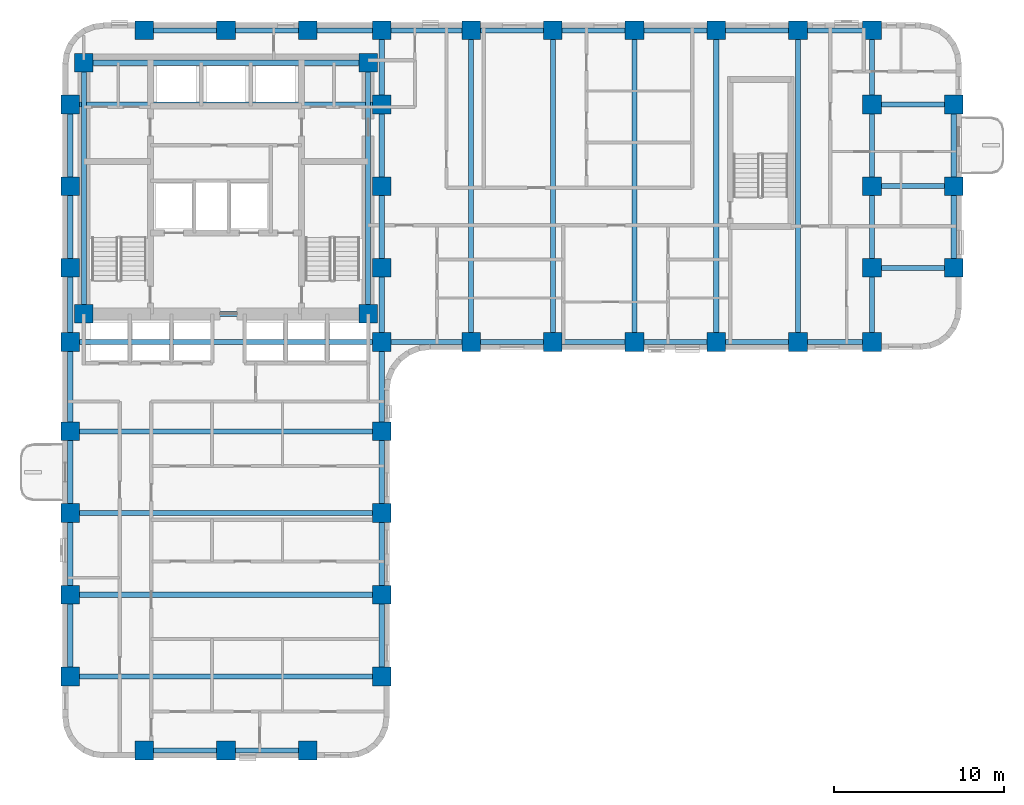
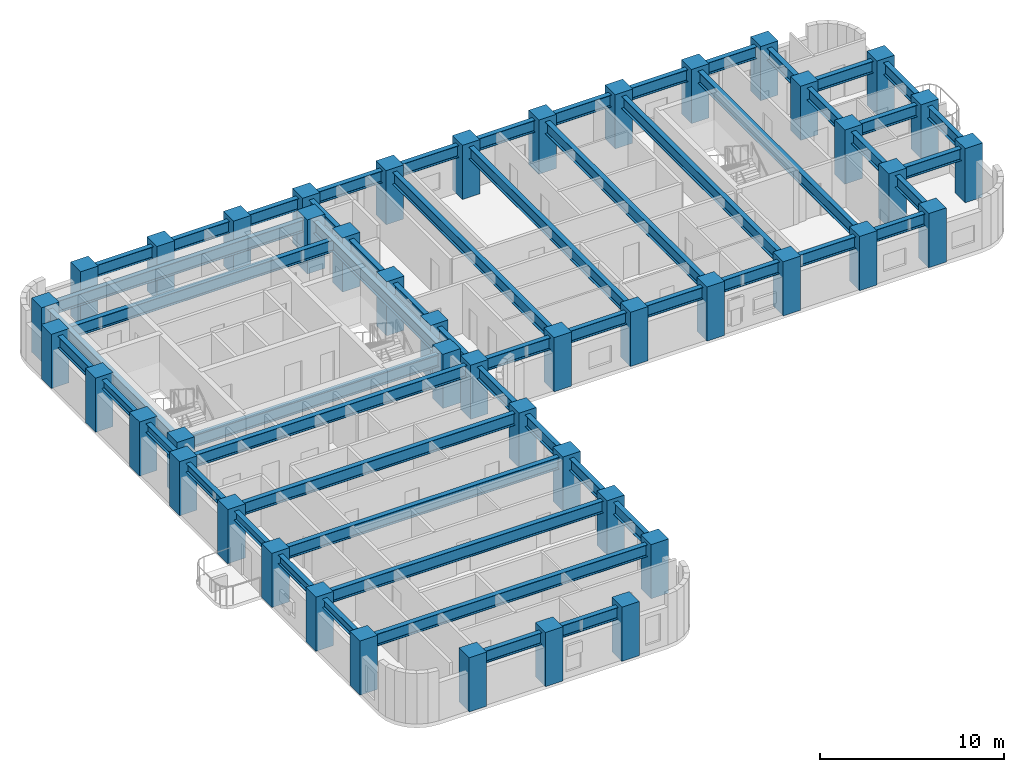
# One storey, part 1 of 10: 56 beams, 45 columns.
"""IFC4 building model written with IfcOpenShell, lengths in metres."""

from ifc_helpers import new_model, si_unit, direction, frame, origin, origin_2d, place, context, subcontext, project, spatial, rectangle, i_section, extrude, material, material_profile, profile_set, type_object, element, save


model = new_model("IFC4")

# Units and contexts
model_context = context("Model", 3, precision=1e-05, world=origin(), true_north=direction((0.0, 1.0)))
body_context = subcontext(model_context, "Body", "Model", "MODEL_VIEW")
ifc_project = project(units=[si_unit("LENGTHUNIT", "METRE"), si_unit("AREAUNIT", "SQUARE_METRE"), si_unit("VOLUMEUNIT", "CUBIC_METRE"), si_unit("PLANEANGLEUNIT", "RADIAN"), si_unit("MASSUNIT", "GRAM", prefix="KILO")], contexts=[model_context])

# Site, building, storey
site_placement = place(None, origin())
site = spatial("IfcSite", under=ifc_project, at=site_placement, CompositionType="ELEMENT")
building_placement = place(site_placement, origin())
building = spatial("IfcBuilding", under=site, at=building_placement, Name="Orvandelia Arch Residences", CompositionType="ELEMENT")
storey_placement = place(building_placement, frame((0.0, 0.0, 75.39990234375)))
storey = spatial("IfcBuildingStorey", under=building, at=storey_placement, Name="L19", CompositionType="ELEMENT", Elevation=75.39990234375)

# Columns
ifc_material_1 = material(Name="Concrete C80/95", Category="concrete")
ifc_material_profile_1 = material_profile(ifc_material_1, rectangle(XDim=1.10009765625, YDim=1.10009765625, at=origin_2d()), Name="Concrete C80/95", Category="concrete")
ifc_profile_set_1 = profile_set([ifc_material_profile_1], Name="Concrete C80/95")
column_type = type_object("IfcColumnType", Name="COL-TWR-1100", PredefinedType="COLUMN", material=ifc_profile_set_1)
for number, where, z_axis, x_axis, name in (
    (1, (5.25, 9.60009765625, 0.0), (0.0, 0.0, 1.0), (1.0, 0.0, 0.0), "Structural Column L19-W-W-96"),
    (2, (5.25, 14.39990234375, 0.0), (0.0, 0.0, 1.0), (1.0, 0.0, 0.0), "Structural Column L19-W-W-144"),
    (3, (5.25, 19.199951171875, 0.0), (0.0, 0.0, 1.0), (1.0, 0.0, 0.0), "Structural Column L19-W-W-192"),
    (4, (5.25, 24.0, 0.0), (0.0, 0.0, 1.0), (1.0, 0.0, 0.0), "Structural Column L19-W-W-240"),
    (5, (5.25, 29.25, 0.0), (0.0, 0.0, 1.0), (1.0, 0.0, 0.0), "Structural Column L19-W-W-292"),
    (6, (5.25, 33.60009765625, 0.0), (0.0, 0.0, 1.0), (1.0, 0.0, 0.0), "Structural Column L19-W-W-336"),
    (7, (5.25, 38.39990234375, 0.0), (0.0, 0.0, 1.0), (1.0, 0.0, 0.0), "Structural Column L19-W-W-384"),
    (8, (5.25, 43.199951171875, 0.0), (0.0, 0.0, 1.0), (1.0, 0.0, 0.0), "Structural Column L19-W-W-432"),
    (9, (6.050048828125, 30.89990234375, 0.0), (0.0, 0.0, 1.0), (1.0, 0.0, 0.0), "Structural Column L19-CR-SW"),
    (10, (6.050048828125, 45.64990234375, 0.0), (0.0, 0.0, 1.0), (1.0, 0.0, 0.0), "Structural Column L19-CR-NW"),
    (11, (9.60009765625, 5.25, 0.0), (0.0, 0.0, 1.0), (1.0, 0.0, 0.0), "Structural Column L19-W-S-96"),
    (12, (9.60009765625, 47.550048828125, 0.0), (0.0, 0.0, 1.0), (1.0, 0.0, 0.0), "Structural Column L19-W-N-96"),
    (13, (14.39990234375, 5.25, 0.0), (0.0, 0.0, 1.0), (1.0, 0.0, 0.0), "Structural Column L19-W-S-144"),
    (14, (14.39990234375, 47.550048828125, 0.0), (0.0, 0.0, 1.0), (1.0, 0.0, 0.0), "Structural Column L19-W-N-144"),
    (15, (19.199951171875, 5.25, 0.0), (0.0, 0.0, 1.0), (1.0, 0.0, 0.0), "Structural Column L19-W-S-192"),
    (16, (19.199951171875, 47.550048828125, 0.0), (0.0, 0.0, 1.0), (1.0, 0.0, 0.0), "Structural Column L19-W-N-192"),
    (17, (22.75, 30.89990234375, 0.0), (0.0, 0.0, 1.0), (1.0, 0.0, 0.0), "Structural Column L19-CR-SE"),
    (18, (22.75, 45.64990234375, 0.0), (0.0, 0.0, 1.0), (1.0, 0.0, 0.0), "Structural Column L19-CR-NE"),
    (19, (23.550048828125, 9.60009765625, 0.0), (0.0, 0.0, 1.0), (1.0, 0.0, 0.0), "Structural Column L19-W-E-96"),
    (20, (23.550048828125, 14.39990234375, 0.0), (0.0, 0.0, 1.0), (1.0, 0.0, 0.0), "Structural Column L19-W-E-144"),
    (21, (23.550048828125, 19.199951171875, 0.0), (0.0, 0.0, 1.0), (1.0, 0.0, 0.0), "Structural Column L19-W-E-192"),
    (22, (23.550048828125, 24.0, 0.0), (0.0, 0.0, 1.0), (1.0, 0.0, 0.0), "Structural Column L19-W-E-240"),
    (23, (23.550048828125, 29.25, 0.0), (0.0, 0.0, 1.0), (1.0, 0.0, 0.0), "Structural Column L19-W-E-292"),
    (24, (23.550048828125, 33.60009765625, 0.0), (0.0, 0.0, 1.0), (1.0, 0.0, 0.0), "Structural Column L19-W-E-336"),
    (25, (23.550048828125, 38.39990234375, 0.0), (0.0, 0.0, 1.0), (1.0, 0.0, 0.0), "Structural Column L19-W-E-384"),
    (26, (23.550048828125, 43.199951171875, 0.0), (0.0, 0.0, 1.0), (1.0, 0.0, 0.0), "Structural Column L19-W-E-432"),
    (27, (23.550048828125, 47.550048828125, 0.0), (0.0, 0.0, 1.0), (1.0, 0.0, 0.0), "Structural Column L19-W-N-235"),
    (28, (28.800048828125, 29.25, 0.0), (0.0, 0.0, 1.0), (1.0, 0.0, 0.0), "Structural Column L19-E-S-288"),
    (29, (28.800048828125, 47.550048828125, 0.0), (0.0, 0.0, 1.0), (1.0, 0.0, 0.0), "Structural Column L19-E-N-288"),
    (30, (33.60009765625, 29.25, 0.0), (0.0, 0.0, 1.0), (1.0, 0.0, 0.0), "Structural Column L19-E-S-336"),
    (31, (33.60009765625, 47.550048828125, 0.0), (0.0, 0.0, 1.0), (1.0, 0.0, 0.0), "Structural Column L19-E-N-336"),
    (32, (38.39990234375, 29.25, 0.0), (0.0, 0.0, 1.0), (1.0, 0.0, 0.0), "Structural Column L19-E-S-384"),
    (33, (38.39990234375, 47.550048828125, 0.0), (0.0, 0.0, 1.0), (1.0, 0.0, 0.0), "Structural Column L19-E-N-384"),
    (34, (43.199951171875, 29.25, 0.0), (0.0, 0.0, 1.0), (1.0, 0.0, 0.0), "Structural Column L19-E-S-432"),
    (35, (43.199951171875, 47.550048828125, 0.0), (0.0, 0.0, 1.0), (1.0, 0.0, 0.0), "Structural Column L19-E-N-432"),
    (36, (48.0, 29.25, 0.0), (0.0, 0.0, 1.0), (1.0, 0.0, 0.0), "Structural Column L19-E-S-480"),
    (37, (48.0, 47.550048828125, 0.0), (0.0, 0.0, 1.0), (1.0, 0.0, 0.0), "Structural Column L19-E-N-480"),
    (38, (52.35009765625, 29.25, 0.0), (0.0, 0.0, 1.0), (1.0, 0.0, 0.0), "Structural Column L19-E-S-523"),
    (39, (52.35009765625, 33.60009765625, 0.0), (0.0, 0.0, 1.0), (1.0, 0.0, 0.0), "Structural Column L19-E-523-336"),
    (40, (52.35009765625, 38.39990234375, 0.0), (0.0, 0.0, 1.0), (1.0, 0.0, 0.0), "Structural Column L19-E-523-384"),
    (41, (52.35009765625, 43.199951171875, 0.0), (0.0, 0.0, 1.0), (1.0, 0.0, 0.0), "Structural Column L19-E-523-432"),
    (42, (52.35009765625, 47.550048828125, 0.0), (0.0, 0.0, 1.0), (1.0, 0.0, 0.0), "Structural Column L19-E-N-523"),
    (43, (57.14990234375, 33.60009765625, 0.0), (0.0, 0.0, 1.0), (1.0, 0.0, 0.0), "Structural Column L19-E-571-336"),
    (44, (57.14990234375, 38.39990234375, 0.0), (0.0, 0.0, 1.0), (1.0, 0.0, 0.0), "Structural Column L19-E-571-384"),
    (45, (57.14990234375, 43.199951171875, 0.0), (0.0, 0.0, 1.0), (1.0, 0.0, 0.0), "Structural Column L19-E-571-432"),
):
    element("IfcColumn", number, at=place(storey_placement, frame(where, z_axis=z_axis, x_axis=x_axis)), inside=storey, type_object=column_type, Name=name, PredefinedType="COLUMN", context=body_context, shape_type="SweptSolid", body=[
        extrude(rectangle(XDim=1.10009765625, YDim=1.10009765625, at=origin_2d()), origin(), (0.0, 0.0, 1.0), 3.60009765625),
    ])

# Beams
ifc_material_2 = material(Name="Structural Steel SM355 (355 MPa)", Category="steel")
ifc_material_profile_2 = material_profile(ifc_material_2, i_section(OverallWidth=0.300048828125, OverallDepth=0.800048828125, WebThickness=0.013916015625, FlangeThickness=0.02587890625, FilletRadius=0.02587890625, at=origin_2d()), Name="Structural Steel SM355 (355 MPa)", Category="steel")
ifc_profile_set_2 = profile_set([ifc_material_profile_2], Name="Structural Steel SM355 (355 MPa)")
beam_type_1 = type_object("IfcBeamType", Name="BM-GRD-H800", PredefinedType="BEAM", material=ifc_profile_set_2)
beam_1_placement = place(storey_placement, frame((5.25, 38.39990234375, 2.9501953125), z_axis=(0.0, 1.0, 0.0), x_axis=(-1.0, 0.0, 0.0)))
element("IfcBeam", 46, at=beam_1_placement, inside=storey, type_object=beam_type_1, Name="Structural Frame Beam L19-NS-007", PredefinedType="BEAM", context=body_context, shape_type="SweptSolid", body=[
    extrude(i_section(OverallWidth=0.300048828125, OverallDepth=0.800048828125, WebThickness=0.013916015625, FlangeThickness=0.02587890625, FilletRadius=0.02587890625, at=origin_2d()), origin(), (0.0, 0.0, 1.0), 4.800048828125),
])
for number, where, z_axis, x_axis, name in (
    (47, (6.050048828125, 30.89990234375, 2.9501953125), (0.0, 1.0, 0.0), (-1.0, 0.0, 0.0), "Structural Frame Beam L19-NS-008"),
    (48, (22.75, 30.89990234375, 2.9501953125), (0.0, 1.0, 0.0), (-1.0, 0.0, 0.0), "Structural Frame Beam L19-NS-009"),
):
    element("IfcBeam", number, at=place(storey_placement, frame(where, z_axis=z_axis, x_axis=x_axis)), inside=storey, type_object=beam_type_1, Name=name, PredefinedType="BEAM", context=body_context, shape_type="SweptSolid", body=[
        extrude(i_section(OverallWidth=0.300048828125, OverallDepth=0.800048828125, WebThickness=0.013916015625, FlangeThickness=0.02587890625, FilletRadius=0.02587890625, at=origin_2d()), origin(), (0.0, 0.0, 1.0), 14.75),
    ])
beam_2_placement = place(storey_placement, frame((23.550048828125, 9.60009765625, 2.9501953125), z_axis=(0.0, 1.0, 0.0), x_axis=(-1.0, 0.0, 0.0)))
element("IfcBeam", 49, at=beam_2_placement, inside=storey, type_object=beam_type_1, Name="Structural Frame Beam L19-NS-010", PredefinedType="BEAM", context=body_context, shape_type="SweptSolid", body=[
    extrude(i_section(OverallWidth=0.300048828125, OverallDepth=0.800048828125, WebThickness=0.013916015625, FlangeThickness=0.02587890625, FilletRadius=0.02587890625, at=origin_2d()), origin(), (0.0, 0.0, 1.0), 4.7998046875),
])
for number, where, z_axis, x_axis, name in (
    (50, (23.550048828125, 14.39990234375, 2.9501953125), (0.0, 1.0, 0.0), (-1.0, 0.0, 0.0), "Structural Frame Beam L19-NS-011"),
    (51, (23.550048828125, 19.199951171875, 2.9501953125), (0.0, 1.0, 0.0), (-1.0, 0.0, 0.0), "Structural Frame Beam L19-NS-012"),
):
    element("IfcBeam", number, at=place(storey_placement, frame(where, z_axis=z_axis, x_axis=x_axis)), inside=storey, type_object=beam_type_1, Name=name, PredefinedType="BEAM", context=body_context, shape_type="SweptSolid", body=[
        extrude(i_section(OverallWidth=0.300048828125, OverallDepth=0.800048828125, WebThickness=0.013916015625, FlangeThickness=0.02587890625, FilletRadius=0.02587890625, at=origin_2d()), origin(), (0.0, 0.0, 1.0), 4.800048828125),
    ])
beam_3_placement = place(storey_placement, frame((23.550048828125, 24.0, 2.9501953125), z_axis=(0.0, 1.0, 0.0), x_axis=(-1.0, 0.0, 0.0)))
element("IfcBeam", 52, at=beam_3_placement, inside=storey, type_object=beam_type_1, Name="Structural Frame Beam L19-NS-013", PredefinedType="BEAM", context=body_context, shape_type="SweptSolid", body=[
    extrude(i_section(OverallWidth=0.300048828125, OverallDepth=0.800048828125, WebThickness=0.013916015625, FlangeThickness=0.02587890625, FilletRadius=0.02587890625, at=origin_2d()), origin(), (0.0, 0.0, 1.0), 5.25),
])
beam_4_placement = place(storey_placement, frame((23.550048828125, 29.25, 2.9501953125), z_axis=(0.0, 1.0, 0.0), x_axis=(-1.0, 0.0, 0.0)))
element("IfcBeam", 53, at=beam_4_placement, inside=storey, type_object=beam_type_1, Name="Structural Frame Beam L19-NS-014", PredefinedType="BEAM", context=body_context, shape_type="SweptSolid", body=[
    extrude(i_section(OverallWidth=0.300048828125, OverallDepth=0.800048828125, WebThickness=0.013916015625, FlangeThickness=0.02587890625, FilletRadius=0.02587890625, at=origin_2d()), origin(), (0.0, 0.0, 1.0), 4.35009765625),
])
beam_5_placement = place(storey_placement, frame((23.550048828125, 33.60009765625, 2.9501953125), z_axis=(0.0, 1.0, 0.0), x_axis=(-1.0, 0.0, 0.0)))
element("IfcBeam", 54, at=beam_5_placement, inside=storey, type_object=beam_type_1, Name="Structural Frame Beam L19-NS-015", PredefinedType="BEAM", context=body_context, shape_type="SweptSolid", body=[
    extrude(i_section(OverallWidth=0.300048828125, OverallDepth=0.800048828125, WebThickness=0.013916015625, FlangeThickness=0.02587890625, FilletRadius=0.02587890625, at=origin_2d()), origin(), (0.0, 0.0, 1.0), 4.7998046875),
])
beam_6_placement = place(storey_placement, frame((23.550048828125, 38.39990234375, 2.9501953125), z_axis=(0.0, 1.0, 0.0), x_axis=(-1.0, 0.0, 0.0)))
element("IfcBeam", 55, at=beam_6_placement, inside=storey, type_object=beam_type_1, Name="Structural Frame Beam L19-NS-016", PredefinedType="BEAM", context=body_context, shape_type="SweptSolid", body=[
    extrude(i_section(OverallWidth=0.300048828125, OverallDepth=0.800048828125, WebThickness=0.013916015625, FlangeThickness=0.02587890625, FilletRadius=0.02587890625, at=origin_2d()), origin(), (0.0, 0.0, 1.0), 4.800048828125),
])
beam_7_placement = place(storey_placement, frame((23.550048828125, 43.199951171875, 2.9501953125), z_axis=(0.0, 1.0, 0.0), x_axis=(-1.0, 0.0, 0.0)))
element("IfcBeam", 56, at=beam_7_placement, inside=storey, type_object=beam_type_1, Name="Structural Frame Beam L19-NS-017", PredefinedType="BEAM", context=body_context, shape_type="SweptSolid", body=[
    extrude(i_section(OverallWidth=0.300048828125, OverallDepth=0.800048828125, WebThickness=0.013916015625, FlangeThickness=0.02587890625, FilletRadius=0.02587890625, at=origin_2d()), origin(), (0.0, 0.0, 1.0), 4.35009765625),
])
for number, where, z_axis, x_axis, name in (
    (57, (28.800048828125, 29.25, 2.9501953125), (0.0, 1.0, 0.0), (-1.0, 0.0, 0.0), "Structural Frame Beam L19-NS-018"),
    (58, (33.60009765625, 29.25, 2.9501953125), (0.0, 1.0, 0.0), (-1.0, 0.0, 0.0), "Structural Frame Beam L19-NS-019"),
    (59, (38.39990234375, 29.25, 2.9501953125), (0.0, 1.0, 0.0), (-1.0, 0.0, 0.0), "Structural Frame Beam L19-NS-020"),
    (60, (43.199951171875, 29.25, 2.9501953125), (0.0, 1.0, 0.0), (-1.0, 0.0, 0.0), "Structural Frame Beam L19-NS-021"),
    (61, (48.0, 29.25, 2.9501953125), (0.0, 1.0, 0.0), (-1.0, 0.0, 0.0), "Structural Frame Beam L19-NS-022"),
):
    element("IfcBeam", number, at=place(storey_placement, frame(where, z_axis=z_axis, x_axis=x_axis)), inside=storey, type_object=beam_type_1, Name=name, PredefinedType="BEAM", context=body_context, shape_type="SweptSolid", body=[
        extrude(i_section(OverallWidth=0.300048828125, OverallDepth=0.800048828125, WebThickness=0.013916015625, FlangeThickness=0.02587890625, FilletRadius=0.02587890625, at=origin_2d()), origin(), (0.0, 0.0, 1.0), 18.300048828125),
    ])
beam_8_placement = place(storey_placement, frame((52.35009765625, 29.25, 2.9501953125), z_axis=(0.0, 1.0, 0.0), x_axis=(-1.0, 0.0, 0.0)))
element("IfcBeam", 62, at=beam_8_placement, inside=storey, type_object=beam_type_1, Name="Structural Frame Beam L19-NS-023", PredefinedType="BEAM", context=body_context, shape_type="SweptSolid", body=[
    extrude(i_section(OverallWidth=0.300048828125, OverallDepth=0.800048828125, WebThickness=0.013916015625, FlangeThickness=0.02587890625, FilletRadius=0.02587890625, at=origin_2d()), origin(), (0.0, 0.0, 1.0), 4.35009765625),
])
beam_9_placement = place(storey_placement, frame((52.35009765625, 33.60009765625, 2.9501953125), z_axis=(0.0, 1.0, 0.0), x_axis=(-1.0, 0.0, 0.0)))
element("IfcBeam", 63, at=beam_9_placement, inside=storey, type_object=beam_type_1, Name="Structural Frame Beam L19-NS-024", PredefinedType="BEAM", context=body_context, shape_type="SweptSolid", body=[
    extrude(i_section(OverallWidth=0.300048828125, OverallDepth=0.800048828125, WebThickness=0.013916015625, FlangeThickness=0.02587890625, FilletRadius=0.02587890625, at=origin_2d()), origin(), (0.0, 0.0, 1.0), 4.7998046875),
])
beam_10_placement = place(storey_placement, frame((52.35009765625, 38.39990234375, 2.9501953125), z_axis=(0.0, 1.0, 0.0), x_axis=(-1.0, 0.0, 0.0)))
element("IfcBeam", 64, at=beam_10_placement, inside=storey, type_object=beam_type_1, Name="Structural Frame Beam L19-NS-025", PredefinedType="BEAM", context=body_context, shape_type="SweptSolid", body=[
    extrude(i_section(OverallWidth=0.300048828125, OverallDepth=0.800048828125, WebThickness=0.013916015625, FlangeThickness=0.02587890625, FilletRadius=0.02587890625, at=origin_2d()), origin(), (0.0, 0.0, 1.0), 4.800048828125),
])
beam_11_placement = place(storey_placement, frame((52.35009765625, 43.199951171875, 2.9501953125), z_axis=(0.0, 1.0, 0.0), x_axis=(-1.0, 0.0, 0.0)))
element("IfcBeam", 65, at=beam_11_placement, inside=storey, type_object=beam_type_1, Name="Structural Frame Beam L19-NS-026", PredefinedType="BEAM", context=body_context, shape_type="SweptSolid", body=[
    extrude(i_section(OverallWidth=0.300048828125, OverallDepth=0.800048828125, WebThickness=0.013916015625, FlangeThickness=0.02587890625, FilletRadius=0.02587890625, at=origin_2d()), origin(), (0.0, 0.0, 1.0), 4.35009765625),
])
beam_12_placement = place(storey_placement, frame((57.14990234375, 33.60009765625, 2.9501953125), z_axis=(0.0, 1.0, 0.0), x_axis=(-1.0, 0.0, 0.0)))
element("IfcBeam", 66, at=beam_12_placement, inside=storey, type_object=beam_type_1, Name="Structural Frame Beam L19-NS-027", PredefinedType="BEAM", context=body_context, shape_type="SweptSolid", body=[
    extrude(i_section(OverallWidth=0.300048828125, OverallDepth=0.800048828125, WebThickness=0.013916015625, FlangeThickness=0.02587890625, FilletRadius=0.02587890625, at=origin_2d()), origin(), (0.0, 0.0, 1.0), 4.7998046875),
])
beam_13_placement = place(storey_placement, frame((57.14990234375, 38.39990234375, 2.9501953125), z_axis=(0.0, 1.0, 0.0), x_axis=(-1.0, 0.0, 0.0)))
element("IfcBeam", 67, at=beam_13_placement, inside=storey, type_object=beam_type_1, Name="Structural Frame Beam L19-NS-028", PredefinedType="BEAM", context=body_context, shape_type="SweptSolid", body=[
    extrude(i_section(OverallWidth=0.300048828125, OverallDepth=0.800048828125, WebThickness=0.013916015625, FlangeThickness=0.02587890625, FilletRadius=0.02587890625, at=origin_2d()), origin(), (0.0, 0.0, 1.0), 4.800048828125),
])
beam_14_placement = place(storey_placement, frame((9.60009765625, 5.25, 2.9501953125), z_axis=(1.0, 0.0, 0.0), x_axis=(0.0, 1.0, 0.0)))
element("IfcBeam", 68, at=beam_14_placement, inside=storey, type_object=beam_type_1, Name="Structural Frame Girder L19-EW-029", PredefinedType="BEAM", context=body_context, shape_type="SweptSolid", body=[
    extrude(i_section(OverallWidth=0.300048828125, OverallDepth=0.800048828125, WebThickness=0.013916015625, FlangeThickness=0.02587890625, FilletRadius=0.02587890625, at=origin_2d()), origin(), (0.0, 0.0, 1.0), 4.7998046875),
])
beam_15_placement = place(storey_placement, frame((14.39990234375, 5.25, 2.9501953125), z_axis=(1.0, 0.0, 0.0), x_axis=(0.0, 1.0, 0.0)))
element("IfcBeam", 69, at=beam_15_placement, inside=storey, type_object=beam_type_1, Name="Structural Frame Girder L19-EW-030", PredefinedType="BEAM", context=body_context, shape_type="SweptSolid", body=[
    extrude(i_section(OverallWidth=0.300048828125, OverallDepth=0.800048828125, WebThickness=0.013916015625, FlangeThickness=0.02587890625, FilletRadius=0.02587890625, at=origin_2d()), origin(), (0.0, 0.0, 1.0), 4.800048828125),
])
for number, where, z_axis, x_axis, name in (
    (70, (5.25, 9.60009765625, 2.9501953125), (1.0, 0.0, 0.0), (0.0, 1.0, 0.0), "Structural Frame Girder L19-EW-031"),
    (71, (5.25, 14.39990234375, 2.9501953125), (1.0, 0.0, 0.0), (0.0, 1.0, 0.0), "Structural Frame Girder L19-EW-032"),
    (72, (5.25, 19.199951171875, 2.9501953125), (1.0, 0.0, 0.0), (0.0, 1.0, 0.0), "Structural Frame Girder L19-EW-033"),
    (73, (5.25, 24.0, 2.9501953125), (1.0, 0.0, 0.0), (0.0, 1.0, 0.0), "Structural Frame Girder L19-EW-034"),
    (74, (5.25, 29.25, 2.9501953125), (1.0, 0.0, 0.0), (0.0, 1.0, 0.0), "Structural Frame Girder L19-EW-035"),
):
    element("IfcBeam", number, at=place(storey_placement, frame(where, z_axis=z_axis, x_axis=x_axis)), inside=storey, type_object=beam_type_1, Name=name, PredefinedType="BEAM", context=body_context, shape_type="SweptSolid", body=[
        extrude(i_section(OverallWidth=0.300048828125, OverallDepth=0.800048828125, WebThickness=0.013916015625, FlangeThickness=0.02587890625, FilletRadius=0.02587890625, at=origin_2d()), origin(), (0.0, 0.0, 1.0), 18.300048828125),
    ])
beam_16_placement = place(storey_placement, frame((23.550048828125, 29.25, 2.9501953125), z_axis=(1.0, 0.0, 0.0), x_axis=(0.0, 1.0, 0.0)))
element("IfcBeam", 75, at=beam_16_placement, inside=storey, type_object=beam_type_1, Name="Structural Frame Girder L19-EW-036", PredefinedType="BEAM", context=body_context, shape_type="SweptSolid", body=[
    extrude(i_section(OverallWidth=0.300048828125, OverallDepth=0.800048828125, WebThickness=0.013916015625, FlangeThickness=0.02587890625, FilletRadius=0.02587890625, at=origin_2d()), origin(), (0.0, 0.0, 1.0), 5.25),
])
beam_17_placement = place(storey_placement, frame((28.800048828125, 29.25, 2.9501953125), z_axis=(1.0, 0.0, 0.0), x_axis=(0.0, 1.0, 0.0)))
element("IfcBeam", 76, at=beam_17_placement, inside=storey, type_object=beam_type_1, Name="Structural Frame Girder L19-EW-037", PredefinedType="BEAM", context=body_context, shape_type="SweptSolid", body=[
    extrude(i_section(OverallWidth=0.300048828125, OverallDepth=0.800048828125, WebThickness=0.013916015625, FlangeThickness=0.02587890625, FilletRadius=0.02587890625, at=origin_2d()), origin(), (0.0, 0.0, 1.0), 4.800048828125),
])
beam_18_placement = place(storey_placement, frame((33.60009765625, 29.25, 2.9501953125), z_axis=(1.0, 0.0, 0.0), x_axis=(0.0, 1.0, 0.0)))
element("IfcBeam", 77, at=beam_18_placement, inside=storey, type_object=beam_type_1, Name="Structural Frame Girder L19-EW-038", PredefinedType="BEAM", context=body_context, shape_type="SweptSolid", body=[
    extrude(i_section(OverallWidth=0.300048828125, OverallDepth=0.800048828125, WebThickness=0.013916015625, FlangeThickness=0.02587890625, FilletRadius=0.02587890625, at=origin_2d()), origin(), (0.0, 0.0, 1.0), 4.7998046875),
])
for number, where, z_axis, x_axis, name in (
    (78, (38.39990234375, 29.25, 2.9501953125), (1.0, 0.0, 0.0), (0.0, 1.0, 0.0), "Structural Frame Girder L19-EW-039"),
    (79, (43.199951171875, 29.25, 2.9501953125), (1.0, 0.0, 0.0), (0.0, 1.0, 0.0), "Structural Frame Girder L19-EW-040"),
):
    element("IfcBeam", number, at=place(storey_placement, frame(where, z_axis=z_axis, x_axis=x_axis)), inside=storey, type_object=beam_type_1, Name=name, PredefinedType="BEAM", context=body_context, shape_type="SweptSolid", body=[
        extrude(i_section(OverallWidth=0.300048828125, OverallDepth=0.800048828125, WebThickness=0.013916015625, FlangeThickness=0.02587890625, FilletRadius=0.02587890625, at=origin_2d()), origin(), (0.0, 0.0, 1.0), 4.800048828125),
    ])
beam_19_placement = place(storey_placement, frame((48.0, 29.25, 2.9501953125), z_axis=(1.0, 0.0, 0.0), x_axis=(0.0, 1.0, 0.0)))
element("IfcBeam", 80, at=beam_19_placement, inside=storey, type_object=beam_type_1, Name="Structural Frame Girder L19-EW-041", PredefinedType="BEAM", context=body_context, shape_type="SweptSolid", body=[
    extrude(i_section(OverallWidth=0.300048828125, OverallDepth=0.800048828125, WebThickness=0.013916015625, FlangeThickness=0.02587890625, FilletRadius=0.02587890625, at=origin_2d()), origin(), (0.0, 0.0, 1.0), 4.35009765625),
])
beam_20_placement = place(storey_placement, frame((6.050048828125, 30.89990234375, 2.9501953125), z_axis=(1.0, 0.0, 0.0), x_axis=(0.0, 1.0, 0.0)))
element("IfcBeam", 81, at=beam_20_placement, inside=storey, type_object=beam_type_1, Name="Structural Frame Girder L19-EW-042", PredefinedType="BEAM", context=body_context, shape_type="SweptSolid", body=[
    extrude(i_section(OverallWidth=0.300048828125, OverallDepth=0.800048828125, WebThickness=0.013916015625, FlangeThickness=0.02587890625, FilletRadius=0.02587890625, at=origin_2d()), origin(), (0.0, 0.0, 1.0), 16.699951171875),
])
for number, where, z_axis, x_axis, name in (
    (82, (52.35009765625, 33.60009765625, 2.9501953125), (1.0, 0.0, 0.0), (0.0, 1.0, 0.0), "Structural Frame Girder L19-EW-044"),
    (83, (52.35009765625, 38.39990234375, 2.9501953125), (1.0, 0.0, 0.0), (0.0, 1.0, 0.0), "Structural Frame Girder L19-EW-046"),
):
    element("IfcBeam", number, at=place(storey_placement, frame(where, z_axis=z_axis, x_axis=x_axis)), inside=storey, type_object=beam_type_1, Name=name, PredefinedType="BEAM", context=body_context, shape_type="SweptSolid", body=[
        extrude(i_section(OverallWidth=0.300048828125, OverallDepth=0.800048828125, WebThickness=0.013916015625, FlangeThickness=0.02587890625, FilletRadius=0.02587890625, at=origin_2d()), origin(), (0.0, 0.0, 1.0), 4.7998046875),
    ])
beam_21_placement = place(storey_placement, frame((5.25, 43.199951171875, 2.9501953125), z_axis=(1.0, 0.0, 0.0), x_axis=(0.0, 1.0, 0.0)))
element("IfcBeam", 84, at=beam_21_placement, inside=storey, type_object=beam_type_1, Name="Structural Frame Girder L19-EW-047", PredefinedType="BEAM", context=body_context, shape_type="SweptSolid", body=[
    extrude(i_section(OverallWidth=0.300048828125, OverallDepth=0.800048828125, WebThickness=0.013916015625, FlangeThickness=0.02587890625, FilletRadius=0.02587890625, at=origin_2d()), origin(), (0.0, 0.0, 1.0), 18.300048828125),
])
beam_22_placement = place(storey_placement, frame((52.35009765625, 43.199951171875, 2.9501953125), z_axis=(1.0, 0.0, 0.0), x_axis=(0.0, 1.0, 0.0)))
element("IfcBeam", 85, at=beam_22_placement, inside=storey, type_object=beam_type_1, Name="Structural Frame Girder L19-EW-048", PredefinedType="BEAM", context=body_context, shape_type="SweptSolid", body=[
    extrude(i_section(OverallWidth=0.300048828125, OverallDepth=0.800048828125, WebThickness=0.013916015625, FlangeThickness=0.02587890625, FilletRadius=0.02587890625, at=origin_2d()), origin(), (0.0, 0.0, 1.0), 4.7998046875),
])
beam_23_placement = place(storey_placement, frame((6.050048828125, 45.64990234375, 2.9501953125), z_axis=(1.0, 0.0, 0.0), x_axis=(0.0, 1.0, 0.0)))
element("IfcBeam", 86, at=beam_23_placement, inside=storey, type_object=beam_type_1, Name="Structural Frame Girder L19-EW-049", PredefinedType="BEAM", context=body_context, shape_type="SweptSolid", body=[
    extrude(i_section(OverallWidth=0.300048828125, OverallDepth=0.800048828125, WebThickness=0.013916015625, FlangeThickness=0.02587890625, FilletRadius=0.02587890625, at=origin_2d()), origin(), (0.0, 0.0, 1.0), 16.699951171875),
])
beam_24_placement = place(storey_placement, frame((9.60009765625, 47.550048828125, 2.9501953125), z_axis=(1.0, 0.0, 0.0), x_axis=(0.0, 1.0, 0.0)))
element("IfcBeam", 87, at=beam_24_placement, inside=storey, type_object=beam_type_1, Name="Structural Frame Girder L19-EW-050", PredefinedType="BEAM", context=body_context, shape_type="SweptSolid", body=[
    extrude(i_section(OverallWidth=0.300048828125, OverallDepth=0.800048828125, WebThickness=0.013916015625, FlangeThickness=0.02587890625, FilletRadius=0.02587890625, at=origin_2d()), origin(), (0.0, 0.0, 1.0), 4.7998046875),
])
beam_25_placement = place(storey_placement, frame((14.39990234375, 47.550048828125, 2.9501953125), z_axis=(1.0, 0.0, 0.0), x_axis=(0.0, 1.0, 0.0)))
element("IfcBeam", 88, at=beam_25_placement, inside=storey, type_object=beam_type_1, Name="Structural Frame Girder L19-EW-051", PredefinedType="BEAM", context=body_context, shape_type="SweptSolid", body=[
    extrude(i_section(OverallWidth=0.300048828125, OverallDepth=0.800048828125, WebThickness=0.013916015625, FlangeThickness=0.02587890625, FilletRadius=0.02587890625, at=origin_2d()), origin(), (0.0, 0.0, 1.0), 4.800048828125),
])
beam_26_placement = place(storey_placement, frame((19.199951171875, 47.550048828125, 2.9501953125), z_axis=(1.0, 0.0, 0.0), x_axis=(0.0, 1.0, 0.0)))
element("IfcBeam", 89, at=beam_26_placement, inside=storey, type_object=beam_type_1, Name="Structural Frame Girder L19-EW-052", PredefinedType="BEAM", context=body_context, shape_type="SweptSolid", body=[
    extrude(i_section(OverallWidth=0.300048828125, OverallDepth=0.800048828125, WebThickness=0.013916015625, FlangeThickness=0.02587890625, FilletRadius=0.02587890625, at=origin_2d()), origin(), (0.0, 0.0, 1.0), 4.35009765625),
])
beam_27_placement = place(storey_placement, frame((23.550048828125, 47.550048828125, 2.9501953125), z_axis=(1.0, 0.0, 0.0), x_axis=(0.0, 1.0, 0.0)))
element("IfcBeam", 90, at=beam_27_placement, inside=storey, type_object=beam_type_1, Name="Structural Frame Girder L19-EW-053", PredefinedType="BEAM", context=body_context, shape_type="SweptSolid", body=[
    extrude(i_section(OverallWidth=0.300048828125, OverallDepth=0.800048828125, WebThickness=0.013916015625, FlangeThickness=0.02587890625, FilletRadius=0.02587890625, at=origin_2d()), origin(), (0.0, 0.0, 1.0), 5.25),
])
beam_28_placement = place(storey_placement, frame((28.800048828125, 47.550048828125, 2.9501953125), z_axis=(1.0, 0.0, 0.0), x_axis=(0.0, 1.0, 0.0)))
element("IfcBeam", 91, at=beam_28_placement, inside=storey, type_object=beam_type_1, Name="Structural Frame Girder L19-EW-054", PredefinedType="BEAM", context=body_context, shape_type="SweptSolid", body=[
    extrude(i_section(OverallWidth=0.300048828125, OverallDepth=0.800048828125, WebThickness=0.013916015625, FlangeThickness=0.02587890625, FilletRadius=0.02587890625, at=origin_2d()), origin(), (0.0, 0.0, 1.0), 4.800048828125),
])
beam_29_placement = place(storey_placement, frame((33.60009765625, 47.550048828125, 2.9501953125), z_axis=(1.0, 0.0, 0.0), x_axis=(0.0, 1.0, 0.0)))
element("IfcBeam", 92, at=beam_29_placement, inside=storey, type_object=beam_type_1, Name="Structural Frame Girder L19-EW-055", PredefinedType="BEAM", context=body_context, shape_type="SweptSolid", body=[
    extrude(i_section(OverallWidth=0.300048828125, OverallDepth=0.800048828125, WebThickness=0.013916015625, FlangeThickness=0.02587890625, FilletRadius=0.02587890625, at=origin_2d()), origin(), (0.0, 0.0, 1.0), 4.7998046875),
])
for number, where, z_axis, x_axis, name in (
    (93, (38.39990234375, 47.550048828125, 2.9501953125), (1.0, 0.0, 0.0), (0.0, 1.0, 0.0), "Structural Frame Girder L19-EW-056"),
    (94, (43.199951171875, 47.550048828125, 2.9501953125), (1.0, 0.0, 0.0), (0.0, 1.0, 0.0), "Structural Frame Girder L19-EW-057"),
):
    element("IfcBeam", number, at=place(storey_placement, frame(where, z_axis=z_axis, x_axis=x_axis)), inside=storey, type_object=beam_type_1, Name=name, PredefinedType="BEAM", context=body_context, shape_type="SweptSolid", body=[
        extrude(i_section(OverallWidth=0.300048828125, OverallDepth=0.800048828125, WebThickness=0.013916015625, FlangeThickness=0.02587890625, FilletRadius=0.02587890625, at=origin_2d()), origin(), (0.0, 0.0, 1.0), 4.800048828125),
    ])
beam_30_placement = place(storey_placement, frame((48.0, 47.550048828125, 2.9501953125), z_axis=(1.0, 0.0, 0.0), x_axis=(0.0, 1.0, 0.0)))
element("IfcBeam", 95, at=beam_30_placement, inside=storey, type_object=beam_type_1, Name="Structural Frame Girder L19-EW-058", PredefinedType="BEAM", context=body_context, shape_type="SweptSolid", body=[
    extrude(i_section(OverallWidth=0.300048828125, OverallDepth=0.800048828125, WebThickness=0.013916015625, FlangeThickness=0.02587890625, FilletRadius=0.02587890625, at=origin_2d()), origin(), (0.0, 0.0, 1.0), 4.35009765625),
])
ifc_material_profile_3 = material_profile(ifc_material_2, i_section(OverallWidth=0.300048828125, OverallDepth=0.587890625, WebThickness=0.011962890625, FlangeThickness=0.02001953125, FilletRadius=0.02197265625, at=origin_2d()), Name="Structural Steel SM355 (355 MPa)", Category="steel")
ifc_profile_set_3 = profile_set([ifc_material_profile_3], Name="Structural Steel SM355 (355 MPa)")
beam_type_2 = type_object("IfcBeamType", Name="BM-SPN-H588", PredefinedType="SPANDREL", material=ifc_profile_set_3)
beam_31_placement = place(storey_placement, frame((5.25, 9.60009765625, 3.05615234375), z_axis=(0.0, 1.0, 0.0), x_axis=(-1.0, 0.0, 0.0)))
element("IfcBeam", 96, at=beam_31_placement, inside=storey, type_object=beam_type_2, Name="Structural Frame Beam L19-NS-001", PredefinedType="SPANDREL", context=body_context, shape_type="SweptSolid", body=[
    extrude(i_section(OverallWidth=0.300048828125, OverallDepth=0.587890625, WebThickness=0.011962890625, FlangeThickness=0.02001953125, FilletRadius=0.02197265625, at=origin_2d()), origin(), (0.0, 0.0, 1.0), 4.7998046875),
])
for number, where, z_axis, x_axis, name in (
    (97, (5.25, 14.39990234375, 3.05615234375), (0.0, 1.0, 0.0), (-1.0, 0.0, 0.0), "Structural Frame Beam L19-NS-002"),
    (98, (5.25, 19.199951171875, 3.05615234375), (0.0, 1.0, 0.0), (-1.0, 0.0, 0.0), "Structural Frame Beam L19-NS-003"),
):
    element("IfcBeam", number, at=place(storey_placement, frame(where, z_axis=z_axis, x_axis=x_axis)), inside=storey, type_object=beam_type_2, Name=name, PredefinedType="SPANDREL", context=body_context, shape_type="SweptSolid", body=[
        extrude(i_section(OverallWidth=0.300048828125, OverallDepth=0.587890625, WebThickness=0.011962890625, FlangeThickness=0.02001953125, FilletRadius=0.02197265625, at=origin_2d()), origin(), (0.0, 0.0, 1.0), 4.800048828125),
    ])
beam_32_placement = place(storey_placement, frame((5.25, 24.0, 3.05615234375), z_axis=(0.0, 1.0, 0.0), x_axis=(-1.0, 0.0, 0.0)))
element("IfcBeam", 99, at=beam_32_placement, inside=storey, type_object=beam_type_2, Name="Structural Frame Beam L19-NS-004", PredefinedType="SPANDREL", context=body_context, shape_type="SweptSolid", body=[
    extrude(i_section(OverallWidth=0.300048828125, OverallDepth=0.587890625, WebThickness=0.011962890625, FlangeThickness=0.02001953125, FilletRadius=0.02197265625, at=origin_2d()), origin(), (0.0, 0.0, 1.0), 5.25),
])
beam_33_placement = place(storey_placement, frame((5.25, 29.25, 3.05615234375), z_axis=(0.0, 1.0, 0.0), x_axis=(-1.0, 0.0, 0.0)))
element("IfcBeam", 100, at=beam_33_placement, inside=storey, type_object=beam_type_2, Name="Structural Frame Beam L19-NS-005", PredefinedType="SPANDREL", context=body_context, shape_type="SweptSolid", body=[
    extrude(i_section(OverallWidth=0.300048828125, OverallDepth=0.587890625, WebThickness=0.011962890625, FlangeThickness=0.02001953125, FilletRadius=0.02197265625, at=origin_2d()), origin(), (0.0, 0.0, 1.0), 4.35009765625),
])
beam_34_placement = place(storey_placement, frame((5.25, 33.60009765625, 3.05615234375), z_axis=(0.0, 1.0, 0.0), x_axis=(-1.0, 0.0, 0.0)))
element("IfcBeam", 101, at=beam_34_placement, inside=storey, type_object=beam_type_2, Name="Structural Frame Beam L19-NS-006", PredefinedType="SPANDREL", context=body_context, shape_type="SweptSolid", body=[
    extrude(i_section(OverallWidth=0.300048828125, OverallDepth=0.587890625, WebThickness=0.011962890625, FlangeThickness=0.02001953125, FilletRadius=0.02197265625, at=origin_2d()), origin(), (0.0, 0.0, 1.0), 4.7998046875),
])

save(model, "model.ifc")
